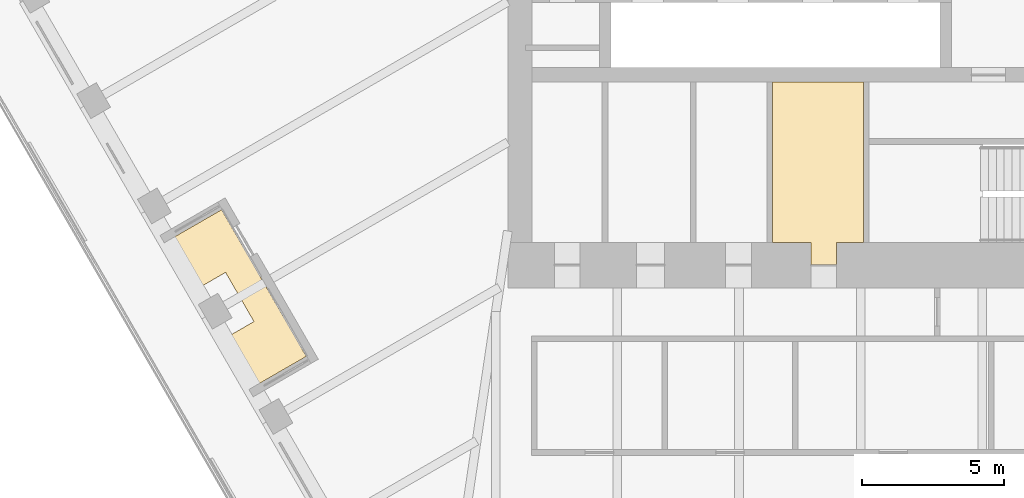
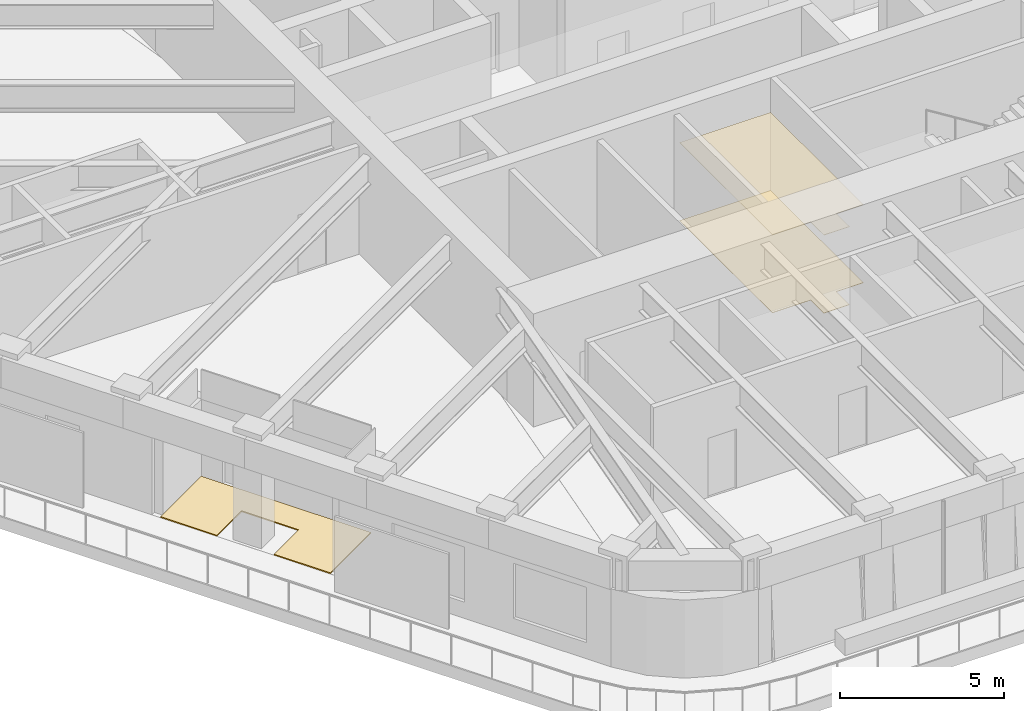
# One storey, part 17 of 19: 3 coverings.
"""IFC4 building model written with IfcOpenShell, lengths in metres."""

from ifc_helpers import new_model, si_unit, direction, frame, origin, place, context, subcontext, project, spatial, polyline, outline, extrude, material, layer, layer_set, type_object, element, save


model = new_model("IFC4")

# Units and contexts
model_context = context("Model", 3, precision=1e-05, world=origin(), true_north=direction((0.0, 1.0)))
body_context = subcontext(model_context, "Body", "Model", "MODEL_VIEW")
ifc_project = project(units=[si_unit("LENGTHUNIT", "METRE"), si_unit("AREAUNIT", "SQUARE_METRE"), si_unit("VOLUMEUNIT", "CUBIC_METRE"), si_unit("PLANEANGLEUNIT", "RADIAN"), si_unit("MASSUNIT", "GRAM", prefix="KILO")], contexts=[model_context])

# Site, building, storey
site_placement = place(None, origin())
site = spatial("IfcSite", under=ifc_project, at=site_placement, CompositionType="ELEMENT")
building_placement = place(site_placement, origin())
building = spatial("IfcBuilding", under=site, at=building_placement, Name="Tarfa Lantern Tower", CompositionType="ELEMENT")
storey_placement = place(building_placement, frame((0.0, 0.0, 336.699951171875)))
storey = spatial("IfcBuildingStorey", under=building, at=storey_placement, Name="L76", CompositionType="ELEMENT", Elevation=336.699951171875)

# Coverings
ifc_material_1 = material(Name="Moisture-resistant plasterboard", Category="finish")
ifc_layer_1 = layer(ifc_material_1, 0.014892578125)
ifc_layer_set_1 = layer_set([ifc_layer_1], Name="CL2 MOISTURE-RESISTANT PLASTERBOARD CEILING 15")
covering_type_1 = type_object("IfcCoveringType", Name="CL2 MOISTURE-RESISTANT PLASTERBOARD CEILING 15", PredefinedType="CEILING", material=ifc_layer_set_1)
covering_1_placement = place(storey_placement, frame((0.0, 0.0, 2.900146484375)))
element("IfcCovering", 1, at=covering_1_placement, inside=storey, type_object=covering_type_1, Name="Ceiling L76-13", PredefinedType="CEILING", context=body_context, shape_type="SweptSolid", body=[
    extrude(outline(polyline([(-0.85009765625, -10.699951171875), (0.10009765625, -10.699951171875), (0.10009765625, -5.050048828125), (-3.10009765625, -5.050048828125), (-3.10009765625, -10.699951171875), (-1.75, -10.699951171875), (-1.75, -11.5), (-0.85009765625, -11.5), (-0.85009765625, -10.699951171875)])), origin(), (0.0, 0.0, 1.0), 0.014892578125),
])
ifc_material_2 = material(Name="Porcelain floor tile", Category="finish")
ifc_layer_2 = layer(ifc_material_2, 0.011962890625)
ifc_layer_set_2 = layer_set([ifc_layer_2], Name="FL3 CERAMIC TILE 12")
covering_type_2 = type_object("IfcCoveringType", Name="FL3 CERAMIC TILE 12", PredefinedType="FLOORING", material=ifc_layer_set_2)
covering_2_placement = place(storey_placement, origin())
element("IfcCovering", 2, at=covering_2_placement, inside=storey, type_object=covering_type_2, Name="Floor finish L76-13", PredefinedType="FLOORING", context=body_context, shape_type="SweptSolid", body=[
    extrude(outline(polyline([(-0.85009765625, -10.699951171875), (0.10009765625, -10.699951171875), (0.10009765625, -5.050048828125), (-3.10009765625, -5.050048828125), (-3.10009765625, -10.699951171875), (-1.75, -10.699951171875), (-1.75, -11.5), (-0.85009765625, -11.5), (-0.85009765625, -10.699951171875)])), origin(), (0.0, 0.0, 1.0), 0.011962890625),
])
ifc_material_3 = material(Name="Porcelain pavers on pedestals", Category="ceramic")
ifc_layer_3 = layer(ifc_material_3, 0.0400390625)
ifc_layer_set_3 = layer_set([ifc_layer_3], Name="LP1 LOGGIA PAVING 40")
covering_type_3 = type_object("IfcCoveringType", Name="LP1 LOGGIA PAVING 40", PredefinedType="FLOORING", material=ifc_layer_set_3)
covering_3_placement = place(storey_placement, origin())
element("IfcCovering", 3, at=covering_3_placement, inside=storey, type_object=covering_type_3, Name="Terrace paving SW", PredefinedType="FLOORING", context=body_context, shape_type="SweptSolid", body=[
    extrude(outline(polyline([(-24.6572265625, -10.79248046875), (-22.509521484375, -9.552490234375), (-19.52734375, -14.717529296875), (-21.67529296875, -15.95751953125), (-22.666259765625, -14.240966796875), (-21.3671875, -13.490966796875), (-22.3671875, -11.759033203125), (-23.666259765625, -12.509033203125), (-24.6572265625, -10.79248046875)])), origin(), (0.0, 0.0, 1.0), 0.0400390625),
])

save(model, "model.ifc")
